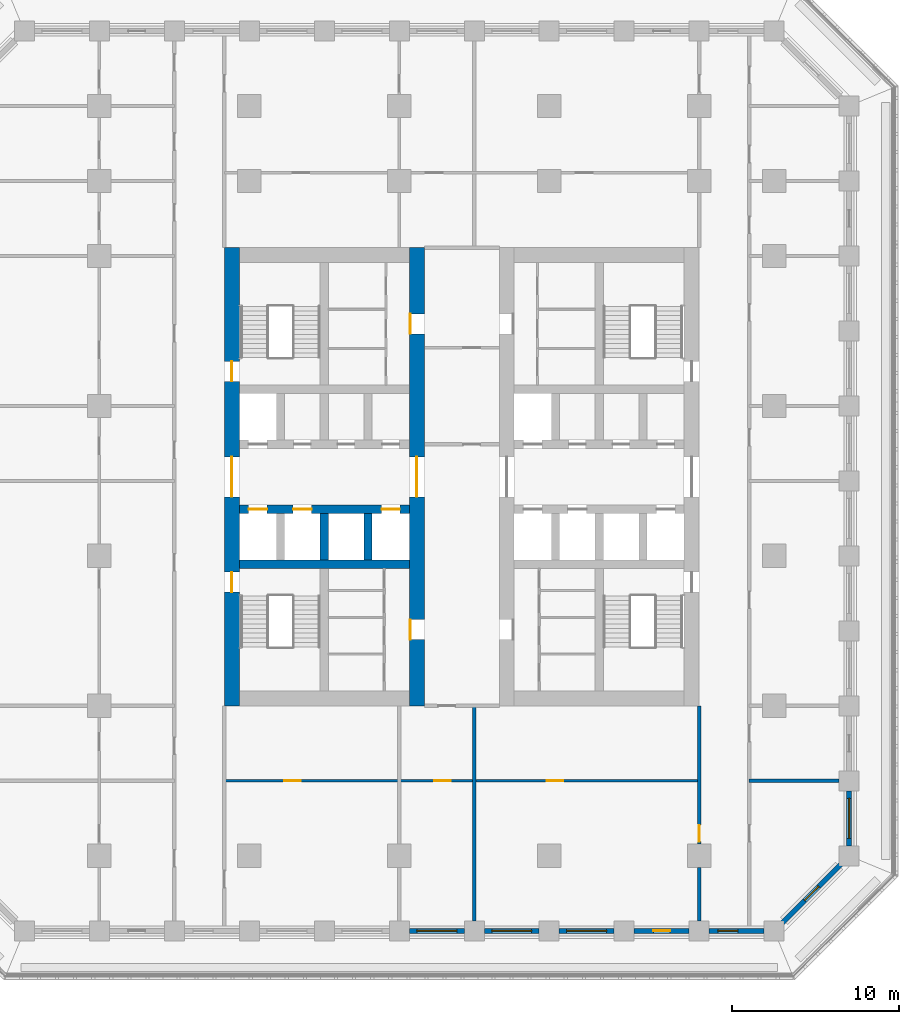
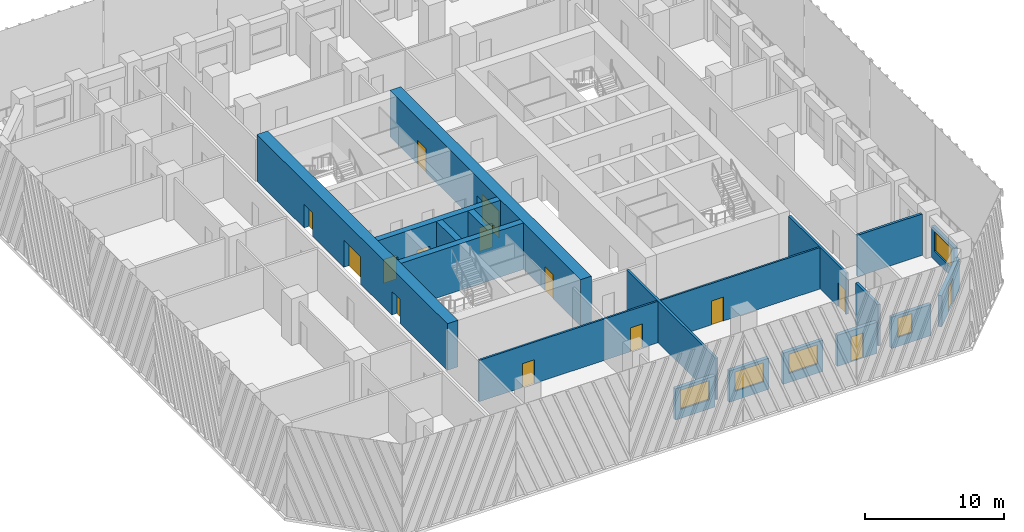
# One storey, part 4 of 19: 18 walls, 15 doors, 5 windows, 20 openings.
"""IFC4 building model written with IfcOpenShell, lengths in metres."""

from ifc_helpers import new_model, si_unit, direction, frame, frame_2d, origin, place, context, subcontext, project, spatial, rectangle, extrude, material, layer, layer_set, type_object, element, fill, save


model = new_model("IFC4")

# Units and contexts
model_context = context("Model", 3, precision=1e-05, world=origin(), true_north=direction((0.0, 1.0)))
body_context = subcontext(model_context, "Body", "Model", "MODEL_VIEW")
ifc_project = project(units=[si_unit("LENGTHUNIT", "METRE"), si_unit("AREAUNIT", "SQUARE_METRE"), si_unit("VOLUMEUNIT", "CUBIC_METRE"), si_unit("PLANEANGLEUNIT", "RADIAN"), si_unit("MASSUNIT", "GRAM", prefix="KILO")], contexts=[model_context])

# Site, building, storey
site_placement = place(None, origin())
site = spatial("IfcSite", under=ifc_project, at=site_placement, CompositionType="ELEMENT")
building_placement = place(site_placement, origin())
building = spatial("IfcBuilding", under=site, at=building_placement, Name="Corbel Stack Research Tower", CompositionType="ELEMENT")
storey_placement = place(building_placement, frame((0.0, 0.0, 124.89990234375)))
storey = spatial("IfcBuildingStorey", under=building, at=storey_placement, Name="L28", CompositionType="ELEMENT", Elevation=124.89990234375)

# Wall
ifc_material_1 = material(Name="Concrete C70/85", Category="concrete")
ifc_layer_1 = layer(ifc_material_1, 0.5)
ifc_layer_set_1 = layer_set([ifc_layer_1], Name="Concrete C70/85")
wall_type_1 = type_object("IfcWallType", Name="CW-500-70", PredefinedType="SHEAR", material=ifc_layer_set_1)
wall_1_placement = place(storey_placement, frame((-9.60009765625, -0.5, 0.0), z_axis=(0.0, 0.0, 1.0), x_axis=(1.0, 0.0, 0.0)))
element("IfcWall", 1, at=wall_1_placement, inside=storey, type_object=wall_type_1, Name="West core wall, south row back L28", PredefinedType="SHEAR", context=body_context, shape_type="SweptSolid", body=[
    extrude(rectangle(XDim=10.2001953125, YDim=0.5, at=frame_2d((5.10009765625, 0.0))), origin(), (0.0, 0.0, 1.0), 4.10009765625),
])

# Wall, openings, doors
wall_2_placement = place(storey_placement, frame((-9.60009765625, 2.800048828125, 0.0), z_axis=(0.0, 0.0, 1.0), x_axis=(1.0, 0.0, 0.0)))
wall_2 = element("IfcWall", 2, at=wall_2_placement, inside=storey, type_object=wall_type_1, Name="West core wall, lobby south L28", PredefinedType="SHEAR", context=body_context, shape_type="SweptSolid", body=[
    extrude(rectangle(XDim=10.2001953125, YDim=0.5, at=frame_2d((5.10009765625, 0.0))), origin(), (0.0, 0.0, 1.0), 4.10009765625),
])
opening_1_placement = place(wall_2_placement, frame((0.5625, 0.0, 0.0)))
opening_1 = element("IfcOpeningElement", 3, at=opening_1_placement, cuts=wall_2, Name="Opening LD-FS1", PredefinedType="OPENING", context=body_context, shape_type="SweptSolid", body=[
    extrude(rectangle(XDim=1.10009765625, YDim=2.10009765625, at=frame_2d((0.550048828125, 1.050048828125))), frame((0.0, 0.260009765625, 0.0), z_axis=(0.0, -1.0, 0.0), x_axis=(1.0, 0.0, 0.0)), (0.0, 0.0, 1.0), 0.52001953125),
])
opening_2_placement = place(wall_2_placement, frame((3.237548828125, 0.0, 0.0)))
opening_2 = element("IfcOpeningElement", 4, at=opening_2_placement, cuts=wall_2, Name="Opening LD-GL1", PredefinedType="OPENING", context=body_context, shape_type="SweptSolid", body=[
    extrude(rectangle(XDim=1.10009765625, YDim=2.10009765625, at=frame_2d((0.550048828125, 1.050048828125))), frame((0.0, 0.260009765625, 0.0), z_axis=(0.0, -1.0, 0.0), x_axis=(1.0, 0.0, 0.0)), (0.0, 0.0, 1.0), 0.52001953125),
])
opening_3_placement = place(wall_2_placement, frame((8.53759765625, 0.0, 0.0)))
opening_3 = element("IfcOpeningElement", 5, at=opening_3_placement, cuts=wall_2, Name="Opening LD-LR1", PredefinedType="OPENING", context=body_context, shape_type="SweptSolid", body=[
    extrude(rectangle(XDim=1.10009765625, YDim=2.10009765625, at=frame_2d((0.550048828125, 1.050048828125))), frame((0.0, 0.260009765625, 0.0), z_axis=(0.0, -1.0, 0.0), x_axis=(1.0, 0.0, 0.0)), (0.0, 0.0, 1.0), 0.52001953125),
])
ifc_material_2 = material(Name="Stainless steel landing door", Category="steel")
door_type_1 = type_object("IfcDoorType", Name="Lift landing door 1100 x 2100", OperationType="DOUBLE_DOOR_SLIDING", PredefinedType="DOOR", material=ifc_material_2)
door_1_placement = place(opening_1_placement, origin())
door_1 = element("IfcDoor", 6, at=door_1_placement, inside=storey, type_object=door_type_1, Name="Landing door FS1", OperationType="DOUBLE_DOOR_SLIDING", OverallHeight=2.10009765625, OverallWidth=1.10009765625, PredefinedType="DOOR", context=body_context, shape_type="SweptSolid", body=[
    extrude(rectangle(XDim=1.10009765625, YDim=2.10009765625, at=frame_2d((0.550048828125, 1.050048828125))), frame((0.0, 0.02490234375, 0.0), z_axis=(0.0, -1.0, 0.0), x_axis=(1.0, 0.0, 0.0)), (0.0, 0.0, 1.0), 0.050048828125),
])
fill(opening_1, door_1)
door_2_placement = place(opening_2_placement, origin())
door_2 = element("IfcDoor", 7, at=door_2_placement, inside=storey, type_object=door_type_1, Name="Landing door GL1", OperationType="DOUBLE_DOOR_SLIDING", OverallHeight=2.10009765625, OverallWidth=1.10009765625, PredefinedType="DOOR", context=body_context, shape_type="SweptSolid", body=[
    extrude(rectangle(XDim=1.10009765625, YDim=2.10009765625, at=frame_2d((0.550048828125, 1.050048828125))), frame((0.0, 0.02490234375, 0.0), z_axis=(0.0, -1.0, 0.0), x_axis=(1.0, 0.0, 0.0)), (0.0, 0.0, 1.0), 0.050048828125),
])
fill(opening_2, door_2)
door_3_placement = place(opening_3_placement, origin())
door_3 = element("IfcDoor", 8, at=door_3_placement, inside=storey, type_object=door_type_1, Name="Landing door LR1", OperationType="DOUBLE_DOOR_SLIDING", OverallHeight=2.10009765625, OverallWidth=1.10009765625, PredefinedType="DOOR", context=body_context, shape_type="SweptSolid", body=[
    extrude(rectangle(XDim=1.10009765625, YDim=2.10009765625, at=frame_2d((0.550048828125, 1.050048828125))), frame((0.0, 0.02490234375, 0.0), z_axis=(0.0, -1.0, 0.0), x_axis=(1.0, 0.0, 0.0)), (0.0, 0.0, 1.0), 0.050048828125),
])
fill(opening_3, door_3)

# Walls
for number, where, z_axis, x_axis, name in (
    (9, (-4.5, -0.25, 0.0), (0.0, 0.0, 1.0), (0.0, 1.0, 0.0), "West core wall, south shaft 2 L28"),
    (10, (-1.875, -0.25, 0.0), (0.0, 0.0, 1.0), (0.0, 1.0, 0.0), "West core wall, south shaft 3 L28"),
):
    element("IfcWall", number, at=place(storey_placement, frame(where, z_axis=z_axis, x_axis=x_axis)), inside=storey, type_object=wall_type_1, Name=name, PredefinedType="SHEAR", context=body_context, shape_type="SweptSolid", body=[
        extrude(rectangle(XDim=2.800048828125, YDim=0.5, at=frame_2d((1.39990234375, 0.0))), origin(), (0.0, 0.0, 1.0), 4.10009765625),
    ])

# Wall, openings, doors
ifc_material_3 = material(Name="Concrete C70/85", Category="concrete")
ifc_layer_2 = layer(ifc_material_3, 0.89990234375)
ifc_layer_set_2 = layer_set([ifc_layer_2], Name="Concrete C70/85")
wall_type_2 = type_object("IfcWallType", Name="CW-900-70", PredefinedType="SHEAR", material=ifc_layer_set_2)
wall_3_placement = place(storey_placement, frame((-10.050048828125, -9.0, 0.0), z_axis=(0.0, 0.0, 1.0), x_axis=(0.0, 1.0, 0.0)))
wall_3 = element("IfcWall", 11, at=wall_3_placement, inside=storey, type_object=wall_type_2, Name="West core wall, west face L28", PredefinedType="SHEAR", context=body_context, shape_type="SweptSolid", body=[
    extrude(rectangle(XDim=27.5, YDim=0.89990234375, at=frame_2d((13.75, 0.0))), origin(), (0.0, 0.0, 1.0), 4.10009765625),
])
opening_4_placement = place(wall_3_placement, frame((12.550048828125, 0.0, 0.0)))
opening_4 = element("IfcOpeningElement", 12, at=opening_4_placement, cuts=wall_3, Name="Opening CD-W-W", PredefinedType="OPENING", context=body_context, shape_type="SweptSolid", body=[
    extrude(rectangle(XDim=2.39990234375, YDim=2.39990234375, at=frame_2d((1.199951171875, 1.199951171875))), frame((0.0, 0.4599609375, 0.0), z_axis=(0.0, -1.0, 0.0), x_axis=(1.0, 0.0, 0.0)), (0.0, 0.0, 1.0), 0.919921875),
])
opening_5_placement = place(wall_3_placement, frame((6.824951171875, 0.0, 0.0)))
opening_5 = element("IfcOpeningElement", 13, at=opening_5_placement, cuts=wall_3, Name="Opening SD-ST-W1", PredefinedType="OPENING", context=body_context, shape_type="SweptSolid", body=[
    extrude(rectangle(XDim=1.199951171875, YDim=2.10009765625, at=frame_2d((0.60009765625, 1.050048828125))), frame((0.0, 0.4599609375, 0.0), z_axis=(0.0, -1.0, 0.0), x_axis=(1.0, 0.0, 0.0)), (0.0, 0.0, 1.0), 0.919921875),
])
opening_6_placement = place(wall_3_placement, frame((19.47509765625, 0.0, 0.0)))
opening_6 = element("IfcOpeningElement", 14, at=opening_6_placement, cuts=wall_3, Name="Opening SD-ST-W2", PredefinedType="OPENING", context=body_context, shape_type="SweptSolid", body=[
    extrude(rectangle(XDim=1.199951171875, YDim=2.10009765625, at=frame_2d((0.60009765625, 1.050048828125))), frame((0.0, 0.4599609375, 0.0), z_axis=(0.0, -1.0, 0.0), x_axis=(1.0, 0.0, 0.0)), (0.0, 0.0, 1.0), 0.919921875),
])
ifc_material_4 = material(Name="Painted steel fire door", Category="steel")
door_type_2 = type_object("IfcDoorType", Name="Lobby door pair 2400 x 2400 FD30S", OperationType="DOUBLE_DOOR_DOUBLE_SWING", PredefinedType="DOOR", material=ifc_material_4)
door_4_placement = place(opening_4_placement, origin())
door_4 = element("IfcDoor", 15, at=door_4_placement, inside=storey, type_object=door_type_2, Name="Lift lobby door W core W", OperationType="DOUBLE_DOOR_DOUBLE_SWING", OverallHeight=2.39990234375, OverallWidth=2.39990234375, PredefinedType="DOOR", context=body_context, shape_type="SweptSolid", body=[
    extrude(rectangle(XDim=2.39990234375, YDim=2.39990234375, at=frame_2d((1.199951171875, 1.199951171875))), frame((0.0, 0.02490234375, 0.0), z_axis=(0.0, -1.0, 0.0), x_axis=(1.0, 0.0, 0.0)), (0.0, 0.0, 1.0), 0.050048828125),
])
fill(opening_4, door_4)
ifc_material_5 = material(Name="Painted steel fire door", Category="steel")
door_type_3 = type_object("IfcDoorType", Name="Stair door 1200 x 2100 FD90 left hand", OperationType="SINGLE_SWING_LEFT", PredefinedType="DOOR", material=ifc_material_5)
door_5_placement = place(opening_5_placement, origin())
door_5 = element("IfcDoor", 16, at=door_5_placement, inside=storey, type_object=door_type_3, Name="Stair door ST-W1", OperationType="SINGLE_SWING_LEFT", OverallHeight=2.10009765625, OverallWidth=1.199951171875, PredefinedType="DOOR", context=body_context, shape_type="SweptSolid", body=[
    extrude(rectangle(XDim=1.199951171875, YDim=2.10009765625, at=frame_2d((0.60009765625, 1.050048828125))), frame((0.0, 0.02490234375, 0.0), z_axis=(0.0, -1.0, 0.0), x_axis=(1.0, 0.0, 0.0)), (0.0, 0.0, 1.0), 0.050048828125),
])
fill(opening_5, door_5)
door_6_placement = place(opening_6_placement, origin())
door_6 = element("IfcDoor", 17, at=door_6_placement, inside=storey, type_object=door_type_3, Name="Stair door ST-W2", OperationType="SINGLE_SWING_LEFT", OverallHeight=2.10009765625, OverallWidth=1.199951171875, PredefinedType="DOOR", context=body_context, shape_type="SweptSolid", body=[
    extrude(rectangle(XDim=1.199951171875, YDim=2.10009765625, at=frame_2d((0.60009765625, 1.050048828125))), frame((0.0, 0.02490234375, 0.0), z_axis=(0.0, -1.0, 0.0), x_axis=(1.0, 0.0, 0.0)), (0.0, 0.0, 1.0), 0.050048828125),
])
fill(opening_6, door_6)

wall_4_placement = place(storey_placement, frame((1.050048828125, -9.0, 0.0), z_axis=(0.0, 0.0, 1.0), x_axis=(0.0, 1.0, 0.0)))
wall_4 = element("IfcWall", 18, at=wall_4_placement, inside=storey, type_object=wall_type_2, Name="West core wall, east face L28", PredefinedType="SHEAR", context=body_context, shape_type="SweptSolid", body=[
    extrude(rectangle(XDim=27.5, YDim=0.89990234375, at=frame_2d((13.75, 0.0))), origin(), (0.0, 0.0, 1.0), 4.10009765625),
])
opening_7_placement = place(wall_4_placement, frame((12.550048828125, 0.0, 0.0)))
opening_7 = element("IfcOpeningElement", 19, at=opening_7_placement, cuts=wall_4, Name="Opening CD-W-E", PredefinedType="OPENING", context=body_context, shape_type="SweptSolid", body=[
    extrude(rectangle(XDim=2.39990234375, YDim=2.39990234375, at=frame_2d((1.199951171875, 1.199951171875))), frame((0.0, 0.4599609375, 0.0), z_axis=(0.0, -1.0, 0.0), x_axis=(1.0, 0.0, 0.0)), (0.0, 0.0, 1.0), 0.919921875),
])
opening_8_placement = place(wall_4_placement, frame((3.97509765625, 0.0, 0.0)))
opening_8 = element("IfcOpeningElement", 20, at=opening_8_placement, cuts=wall_4, Name="Opening CR-W42-W1-1200", PredefinedType="OPENING", context=body_context, shape_type="SweptSolid", body=[
    extrude(rectangle(XDim=1.199951171875, YDim=2.10009765625, at=frame_2d((0.60009765625, 1.050048828125))), frame((0.0, 0.4599609375, 0.0), z_axis=(0.0, -1.0, 0.0), x_axis=(1.0, 0.0, 0.0)), (0.0, 0.0, 1.0), 0.919921875),
])
opening_9_placement = place(wall_4_placement, frame((22.324951171875, 0.0, 0.0)))
opening_9 = element("IfcOpeningElement", 21, at=opening_9_placement, cuts=wall_4, Name="Opening CR-W42-R1-1200", PredefinedType="OPENING", context=body_context, shape_type="SweptSolid", body=[
    extrude(rectangle(XDim=1.199951171875, YDim=2.10009765625, at=frame_2d((0.60009765625, 1.050048828125))), frame((0.0, 0.4599609375, 0.0), z_axis=(0.0, -1.0, 0.0), x_axis=(1.0, 0.0, 0.0)), (0.0, 0.0, 1.0), 0.919921875),
])
door_7_placement = place(opening_7_placement, origin())
door_7 = element("IfcDoor", 22, at=door_7_placement, inside=storey, type_object=door_type_2, Name="Lift lobby door W core E", OperationType="DOUBLE_DOOR_DOUBLE_SWING", OverallHeight=2.39990234375, OverallWidth=2.39990234375, PredefinedType="DOOR", context=body_context, shape_type="SweptSolid", body=[
    extrude(rectangle(XDim=2.39990234375, YDim=2.39990234375, at=frame_2d((1.199951171875, 1.199951171875))), frame((0.0, 0.02490234375, 0.0), z_axis=(0.0, -1.0, 0.0), x_axis=(1.0, 0.0, 0.0)), (0.0, 0.0, 1.0), 0.050048828125),
])
fill(opening_7, door_7)
ifc_material_6 = material(Name="Painted steel door", Category="steel")
door_type_4 = type_object("IfcDoorType", Name="Service door 1200 x 2100 FD30 left hand", OperationType="SINGLE_SWING_LEFT", PredefinedType="DOOR", material=ifc_material_6)
door_8_placement = place(opening_9_placement, origin())
door_8 = element("IfcDoor", 23, at=door_8_placement, inside=storey, type_object=door_type_4, Name="Service passage door W core", OperationType="SINGLE_SWING_LEFT", OverallHeight=2.10009765625, OverallWidth=1.199951171875, PredefinedType="DOOR", context=body_context, shape_type="SweptSolid", body=[
    extrude(rectangle(XDim=1.199951171875, YDim=2.10009765625, at=frame_2d((0.60009765625, 1.050048828125))), frame((0.0, 0.4248046875, 0.0), z_axis=(0.0, -1.0, 0.0), x_axis=(1.0, 0.0, 0.0)), (0.0, 0.0, 1.0), 0.050048828125),
])
fill(opening_9, door_8)
ifc_material_7 = material(Name="Painted timber door", Category="wood")
door_type_5 = type_object("IfcDoorType", Name="WC door 1200 x 2100 left hand", OperationType="SINGLE_SWING_LEFT", PredefinedType="DOOR", material=ifc_material_7)
door_9_placement = place(opening_8_placement, origin())
door_9 = element("IfcDoor", 24, at=door_9_placement, inside=storey, type_object=door_type_5, Name="WC lobby door W core", OperationType="SINGLE_SWING_LEFT", OverallHeight=2.10009765625, OverallWidth=1.199951171875, PredefinedType="DOOR", context=body_context, shape_type="SweptSolid", body=[
    extrude(rectangle(XDim=1.199951171875, YDim=2.10009765625, at=frame_2d((0.60009765625, 1.050048828125))), frame((0.0, 0.4248046875, 0.0), z_axis=(0.0, -1.0, 0.0), x_axis=(1.0, 0.0, 0.0)), (0.0, 0.0, 1.0), 0.050048828125),
])
fill(opening_8, door_9)

# Walls
ifc_material_8 = material(Name="Fire-rated gypsum board partition on steel studs", Category="steel")
ifc_layer_3 = layer(ifc_material_8, 0.199951171875)
ifc_layer_set_3 = layer_set([ifc_layer_3], Name="Fire-rated gypsum board partition on steel studs")
wall_type_3 = type_object("IfcWallType", Name="Fire-rated partition 200 EI 60", PredefinedType="PARTITIONING", material=ifc_layer_set_3)
wall_5_placement = place(storey_placement, frame((4.5, -21.89990234375, 0.0), z_axis=(0.0, 0.0, 1.0), x_axis=(0.0, 1.0, 0.0)))
element("IfcWall", 25, at=wall_5_placement, inside=storey, type_object=wall_type_3, Name="Partition L28-017", PredefinedType="PARTITIONING", context=body_context, shape_type="SweptSolid", body=[
    extrude(rectangle(XDim=12.89990234375, YDim=0.199951171875, at=frame_2d((6.449951171875, 0.0))), origin(), (0.0, 0.0, 1.0), 3.650146484375),
])
wall_6_placement = place(storey_placement, frame((18.0, -21.89990234375, 0.0), z_axis=(0.0, 0.0, 1.0), x_axis=(0.0, 1.0, 0.0)))
element("IfcWall", 26, at=wall_6_placement, inside=storey, type_object=wall_type_3, Name="Partition L28-019", PredefinedType="PARTITIONING", context=body_context, shape_type="SweptSolid", body=[
    extrude(rectangle(XDim=3.199951171875, YDim=0.199951171875, at=frame_2d((1.60009765625, 0.0))), origin(), (0.0, 0.0, 1.0), 3.650146484375),
])

# Wall, opening, door
wall_7_placement = place(storey_placement, frame((18.0, -17.300048828125, 0.0), z_axis=(0.0, 0.0, 1.0), x_axis=(0.0, 1.0, 0.0)))
wall_7 = element("IfcWall", 27, at=wall_7_placement, inside=storey, type_object=wall_type_3, Name="Partition L28-020", PredefinedType="PARTITIONING", context=body_context, shape_type="SweptSolid", body=[
    extrude(rectangle(XDim=8.300048828125, YDim=0.199951171875, at=frame_2d((4.14990234375, 0.0))), origin(), (0.0, 0.0, 1.0), 3.650146484375),
])
opening_10_placement = place(wall_7_placement, frame((0.14990234375, 0.0, 0.0)))
opening_10 = element("IfcOpeningElement", 28, at=opening_10_placement, cuts=wall_7, Name="Opening B4V1-026", PredefinedType="OPENING", context=body_context, shape_type="SweptSolid", body=[
    extrude(rectangle(XDim=1.0, YDim=2.10009765625, at=frame_2d((0.5, 1.050048828125))), frame((0.0, 0.10986328125, 0.0), z_axis=(0.0, -1.0, 0.0), x_axis=(1.0, 0.0, 0.0)), (0.0, 0.0, 1.0), 0.219970703125),
])
ifc_material_9 = material(Name="Painted steel fire door", Category="steel")
door_type_6 = type_object("IfcDoorType", Name="Fire door FD30S 1000 x 2100", OperationType="NOTDEFINED", PredefinedType="DOOR", material=ifc_material_9)
door_10_placement = place(opening_10_placement, origin())
door_10 = element("IfcDoor", 29, at=door_10_placement, inside=storey, type_object=door_type_6, Name="Door B4V1-026", OperationType="SINGLE_SWING_LEFT", OverallHeight=2.10009765625, OverallWidth=1.0, PredefinedType="DOOR", context=body_context, shape_type="SweptSolid", body=[
    extrude(rectangle(XDim=1.0, YDim=2.10009765625, at=frame_2d((0.5, 1.050048828125))), frame((0.0, 0.02490234375, 0.0), z_axis=(0.0, -1.0, 0.0), x_axis=(1.0, 0.0, 0.0)), (0.0, 0.0, 1.0), 0.050048828125),
])
fill(opening_10, door_10)

# Wall
wall_8_placement = place(storey_placement, frame((21.0, -13.5, 0.0), z_axis=(0.0, 0.0, 1.0), x_axis=(1.0, 0.0, 0.0)))
element("IfcWall", 30, at=wall_8_placement, inside=storey, type_object=wall_type_3, Name="Partition L28-027", PredefinedType="PARTITIONING", context=body_context, shape_type="SweptSolid", body=[
    extrude(rectangle(XDim=5.39990234375, YDim=0.199951171875, at=frame_2d((2.699951171875, 0.0))), origin(), (0.0, 0.0, 1.0), 3.650146484375),
])

# Wall, openings, doors
ifc_material_10 = material(Name="Gypsum board partition on steel studs", Category="steel")
ifc_layer_4 = layer(ifc_material_10, 0.14990234375)
ifc_layer_set_4 = layer_set([ifc_layer_4], Name="Gypsum board partition on steel studs")
wall_type_4 = type_object("IfcWallType", Name="Partition 150", PredefinedType="PARTITIONING", material=ifc_layer_set_4)
wall_9_placement = place(storey_placement, frame((-10.5, -13.5, 0.0), z_axis=(0.0, 0.0, 1.0), x_axis=(1.0, 0.0, 0.0)))
wall_9 = element("IfcWall", 31, at=wall_9_placement, inside=storey, type_object=wall_type_4, Name="Partition L28-025", PredefinedType="PARTITIONING", context=body_context, shape_type="SweptSolid", body=[
    extrude(rectangle(XDim=28.5, YDim=0.14990234375, at=frame_2d((14.25, 0.0))), origin(), (0.0, 0.0, 1.0), 3.650146484375),
])
opening_11_placement = place(wall_9_placement, frame((3.60009765625, 0.0, 0.0)))
opening_11 = element("IfcOpeningElement", 32, at=opening_11_placement, cuts=wall_9, Name="Opening B4V1-011", PredefinedType="OPENING", context=body_context, shape_type="SweptSolid", body=[
    extrude(rectangle(XDim=1.0, YDim=2.10009765625, at=frame_2d((0.5, 1.050048828125))), frame((0.0, 0.0849609375, 0.0), z_axis=(0.0, -1.0, 0.0), x_axis=(1.0, 0.0, 0.0)), (0.0, 0.0, 1.0), 0.169921875),
])
opening_12_placement = place(wall_9_placement, frame((12.60009765625, 0.0, 0.0)))
opening_12 = element("IfcOpeningElement", 33, at=opening_12_placement, cuts=wall_9, Name="Opening B4V1-013", PredefinedType="OPENING", context=body_context, shape_type="SweptSolid", body=[
    extrude(rectangle(XDim=1.0, YDim=2.10009765625, at=frame_2d((0.5, 1.050048828125))), frame((0.0, 0.0849609375, 0.0), z_axis=(0.0, -1.0, 0.0), x_axis=(1.0, 0.0, 0.0)), (0.0, 0.0, 1.0), 0.169921875),
])
opening_13_placement = place(wall_9_placement, frame((19.35009765625, 0.0, 0.0)))
opening_13 = element("IfcOpeningElement", 34, at=opening_13_placement, cuts=wall_9, Name="Opening B4V1-015", PredefinedType="OPENING", context=body_context, shape_type="SweptSolid", body=[
    extrude(rectangle(XDim=1.0, YDim=2.10009765625, at=frame_2d((0.5, 1.050048828125))), frame((0.0, 0.0849609375, 0.0), z_axis=(0.0, -1.0, 0.0), x_axis=(1.0, 0.0, 0.0)), (0.0, 0.0, 1.0), 0.169921875),
])
ifc_material_11 = material(Name="Painted timber door", Category="wood")
door_type_7 = type_object("IfcDoorType", Name="Single door 1000 x 2100", OperationType="NOTDEFINED", PredefinedType="DOOR", material=ifc_material_11)
door_11_placement = place(opening_11_placement, origin())
door_11 = element("IfcDoor", 35, at=door_11_placement, inside=storey, type_object=door_type_7, Name="Door B4V1-011", OperationType="SINGLE_SWING_LEFT", OverallHeight=2.10009765625, OverallWidth=1.0, PredefinedType="DOOR", context=body_context, shape_type="SweptSolid", body=[
    extrude(rectangle(XDim=1.0, YDim=2.10009765625, at=frame_2d((0.5, 1.050048828125))), frame((0.0, 0.02490234375, 0.0), z_axis=(0.0, -1.0, 0.0), x_axis=(1.0, 0.0, 0.0)), (0.0, 0.0, 1.0), 0.050048828125),
])
fill(opening_11, door_11)
door_12_placement = place(opening_12_placement, origin())
door_12 = element("IfcDoor", 36, at=door_12_placement, inside=storey, type_object=door_type_7, Name="Door B4V1-013", OperationType="SINGLE_SWING_LEFT", OverallHeight=2.10009765625, OverallWidth=1.0, PredefinedType="DOOR", context=body_context, shape_type="SweptSolid", body=[
    extrude(rectangle(XDim=1.0, YDim=2.10009765625, at=frame_2d((0.5, 1.050048828125))), frame((0.0, 0.02490234375, 0.0), z_axis=(0.0, -1.0, 0.0), x_axis=(1.0, 0.0, 0.0)), (0.0, 0.0, 1.0), 0.050048828125),
])
fill(opening_12, door_12)
door_13_placement = place(opening_13_placement, origin())
door_13 = element("IfcDoor", 37, at=door_13_placement, inside=storey, type_object=door_type_7, Name="Door B4V1-015", OperationType="SINGLE_SWING_RIGHT", OverallHeight=2.10009765625, OverallWidth=1.0, PredefinedType="DOOR", context=body_context, shape_type="SweptSolid", body=[
    extrude(rectangle(XDim=1.0, YDim=2.10009765625, at=frame_2d((0.5, 1.050048828125))), frame((0.0, 0.02490234375, 0.0), z_axis=(0.0, -1.0, 0.0), x_axis=(1.0, 0.0, 0.0)), (0.0, 0.0, 1.0), 0.050048828125),
])
fill(opening_13, door_13)

# Wall, opening, window
ifc_material_12 = material(Name="Concrete C45/55", Category="concrete")
ifc_layer_5 = layer(ifc_material_12, 0.300048828125)
ifc_layer_set_5 = layer_set([ifc_layer_5], Name="Concrete C45/55")
wall_type_5 = type_object("IfcWallType", Name="Terracotta-faced concrete wall 300", PredefinedType="SOLIDWALL", material=ifc_layer_set_5)
wall_10_placement = place(storey_placement, frame((3.89990234375, -22.5, 0.0), z_axis=(0.0, 0.0, 1.0), x_axis=(-1.0, 0.0, 0.0)))
wall_10 = element("IfcWall", 38, at=wall_10_placement, inside=storey, type_object=wall_type_5, Name="Facade wall L28 S06", PredefinedType="SOLIDWALL", context=body_context, shape_type="SweptSolid", body=[
    extrude(rectangle(XDim=3.2998046875, YDim=0.300048828125, at=frame_2d((1.64990234375, 0.0))), origin(), (0.0, 0.0, 1.0), 2.75),
])
opening_14_placement = place(wall_10_placement, frame((0.449951171875, 0.0, 0.800048828125)))
opening_14 = element("IfcOpeningElement", 39, at=opening_14_placement, cuts=wall_10, Name="Opening W1", PredefinedType="OPENING", context=body_context, shape_type="SweptSolid", body=[
    extrude(rectangle(XDim=2.39990234375, YDim=1.699951171875, at=frame_2d((1.199951171875, 0.85009765625))), frame((0.0, 0.159912109375, 0.0), z_axis=(0.0, -1.0, 0.0), x_axis=(1.0, 0.0, 0.0)), (0.0, 0.0, 1.0), 0.320068359375),
])
ifc_material_13 = material(Name="Aluminium frame, clear double glazing", Category="aluminium")
window_type_1 = type_object("IfcWindowType", Name="Window W1 2400 x 1700", PartitioningType="SINGLE_PANEL", PredefinedType="WINDOW", material=ifc_material_13)
window_1_placement = place(opening_14_placement, origin())
window_1 = element("IfcWindow", 40, at=window_1_placement, inside=storey, type_object=window_type_1, Name="Window W1 L28 S06", OverallHeight=1.699951171875, OverallWidth=2.39990234375, PartitioningType="SINGLE_PANEL", PredefinedType="WINDOW", context=body_context, shape_type="SweptSolid", body=[
    extrude(rectangle(XDim=2.39990234375, YDim=1.699951171875, at=frame_2d((1.199951171875, 0.85009765625))), frame((0.0, 0.030029296875, 0.0), z_axis=(0.0, -1.0, 0.0), x_axis=(1.0, 0.0, 0.0)), (0.0, 0.0, 1.0), 0.06005859375),
])
fill(opening_14, window_1)

wall_11_placement = place(storey_placement, frame((8.39990234375, -22.5, 0.0), z_axis=(0.0, 0.0, 1.0), x_axis=(-1.0, 0.0, 0.0)))
wall_11 = element("IfcWall", 41, at=wall_11_placement, inside=storey, type_object=wall_type_5, Name="Facade wall L28 S07", PredefinedType="SOLIDWALL", context=body_context, shape_type="SweptSolid", body=[
    extrude(rectangle(XDim=3.2998046875, YDim=0.300048828125, at=frame_2d((1.64990234375, 0.0))), origin(), (0.0, 0.0, 1.0), 2.75),
])
opening_15_placement = place(wall_11_placement, frame((0.449951171875, 0.0, 0.800048828125)))
opening_15 = element("IfcOpeningElement", 42, at=opening_15_placement, cuts=wall_11, Name="Opening W1", PredefinedType="OPENING", context=body_context, shape_type="SweptSolid", body=[
    extrude(rectangle(XDim=2.39990234375, YDim=1.699951171875, at=frame_2d((1.199951171875, 0.85009765625))), frame((0.0, 0.159912109375, 0.0), z_axis=(0.0, -1.0, 0.0), x_axis=(1.0, 0.0, 0.0)), (0.0, 0.0, 1.0), 0.320068359375),
])
window_2_placement = place(opening_15_placement, origin())
window_2 = element("IfcWindow", 43, at=window_2_placement, inside=storey, type_object=window_type_1, Name="Window W1 L28 S07", OverallHeight=1.699951171875, OverallWidth=2.39990234375, PartitioningType="SINGLE_PANEL", PredefinedType="WINDOW", context=body_context, shape_type="SweptSolid", body=[
    extrude(rectangle(XDim=2.39990234375, YDim=1.699951171875, at=frame_2d((1.199951171875, 0.85009765625))), frame((0.0, 0.030029296875, 0.0), z_axis=(0.0, -1.0, 0.0), x_axis=(1.0, 0.0, 0.0)), (0.0, 0.0, 1.0), 0.06005859375),
])
fill(opening_15, window_2)

wall_12_placement = place(storey_placement, frame((12.89990234375, -22.5, 0.0), z_axis=(0.0, 0.0, 1.0), x_axis=(-1.0, 0.0, 0.0)))
wall_12 = element("IfcWall", 44, at=wall_12_placement, inside=storey, type_object=wall_type_5, Name="Facade wall L28 S08", PredefinedType="SOLIDWALL", context=body_context, shape_type="SweptSolid", body=[
    extrude(rectangle(XDim=3.2998046875, YDim=0.300048828125, at=frame_2d((1.64990234375, 0.0))), origin(), (0.0, 0.0, 1.0), 2.75),
])
opening_16_placement = place(wall_12_placement, frame((0.449951171875, 0.0, 0.800048828125)))
opening_16 = element("IfcOpeningElement", 45, at=opening_16_placement, cuts=wall_12, Name="Opening W1", PredefinedType="OPENING", context=body_context, shape_type="SweptSolid", body=[
    extrude(rectangle(XDim=2.39990234375, YDim=1.699951171875, at=frame_2d((1.199951171875, 0.85009765625))), frame((0.0, 0.159912109375, 0.0), z_axis=(0.0, -1.0, 0.0), x_axis=(1.0, 0.0, 0.0)), (0.0, 0.0, 1.0), 0.320068359375),
])
window_3_placement = place(opening_16_placement, origin())
window_3 = element("IfcWindow", 46, at=window_3_placement, inside=storey, type_object=window_type_1, Name="Window W1 L28 S08", OverallHeight=1.699951171875, OverallWidth=2.39990234375, PartitioningType="SINGLE_PANEL", PredefinedType="WINDOW", context=body_context, shape_type="SweptSolid", body=[
    extrude(rectangle(XDim=2.39990234375, YDim=1.699951171875, at=frame_2d((1.199951171875, 0.85009765625))), frame((0.0, 0.030029296875, 0.0), z_axis=(0.0, -1.0, 0.0), x_axis=(1.0, 0.0, 0.0)), (0.0, 0.0, 1.0), 0.06005859375),
])
fill(opening_16, window_3)

# Wall, opening, door
wall_13_placement = place(storey_placement, frame((17.39990234375, -22.5, 0.0), z_axis=(0.0, 0.0, 1.0), x_axis=(-1.0, 0.0, 0.0)))
wall_13 = element("IfcWall", 47, at=wall_13_placement, inside=storey, type_object=wall_type_5, Name="Facade wall L28 S09", PredefinedType="SOLIDWALL", context=body_context, shape_type="SweptSolid", body=[
    extrude(rectangle(XDim=3.2998046875, YDim=0.300048828125, at=frame_2d((1.64990234375, 0.0))), origin(), (0.0, 0.0, 1.0), 2.75),
])
opening_17_placement = place(wall_13_placement, frame((1.14990234375, 0.0, 0.0)))
opening_17 = element("IfcOpeningElement", 48, at=opening_17_placement, cuts=wall_13, Name="Opening L28-B02", PredefinedType="OPENING", context=body_context, shape_type="SweptSolid", body=[
    extrude(rectangle(XDim=1.0, YDim=2.199951171875, at=frame_2d((0.5, 1.10009765625))), frame((0.0, 0.159912109375, 0.0), z_axis=(0.0, -1.0, 0.0), x_axis=(1.0, 0.0, 0.0)), (0.0, 0.0, 1.0), 0.320068359375),
])
ifc_material_14 = material(Name="Aluminium frame, clear double glazing", Category="aluminium")
door_type_8 = type_object("IfcDoorType", Name="Balcony door BD1 1000 x 2200", OperationType="NOTDEFINED", PredefinedType="DOOR", material=ifc_material_14)
door_14_placement = place(opening_17_placement, origin())
door_14 = element("IfcDoor", 49, at=door_14_placement, inside=storey, type_object=door_type_8, Name="Balcony door L28-B02", OperationType="SINGLE_SWING_LEFT", OverallHeight=2.199951171875, OverallWidth=1.0, PredefinedType="DOOR", context=body_context, shape_type="SweptSolid", body=[
    extrude(rectangle(XDim=1.0, YDim=2.199951171875, at=frame_2d((0.5, 1.10009765625))), frame((0.0, 0.02490234375, 0.0), z_axis=(0.0, -1.0, 0.0), x_axis=(1.0, 0.0, 0.0)), (0.0, 0.0, 1.0), 0.050048828125),
])
fill(opening_17, door_14)

# Wall, opening, window
wall_14_placement = place(storey_placement, frame((21.89990234375, -22.5, 0.0), z_axis=(0.0, 0.0, 1.0), x_axis=(-1.0, 0.0, 0.0)))
wall_14 = element("IfcWall", 50, at=wall_14_placement, inside=storey, type_object=wall_type_5, Name="Facade wall L28 S10", PredefinedType="SOLIDWALL", context=body_context, shape_type="SweptSolid", body=[
    extrude(rectangle(XDim=3.2998046875, YDim=0.300048828125, at=frame_2d((1.64990234375, 0.0))), origin(), (0.0, 0.0, 1.0), 2.75),
])
opening_18_placement = place(wall_14_placement, frame((1.574951171875, 0.0, 0.800048828125)))
opening_18 = element("IfcOpeningElement", 51, at=opening_18_placement, cuts=wall_14, Name="Opening W2", PredefinedType="OPENING", context=body_context, shape_type="SweptSolid", body=[
    extrude(rectangle(XDim=1.199951171875, YDim=1.699951171875, at=frame_2d((0.60009765625, 0.85009765625))), frame((0.0, 0.159912109375, 0.0), z_axis=(0.0, -1.0, 0.0), x_axis=(1.0, 0.0, 0.0)), (0.0, 0.0, 1.0), 0.320068359375),
])
ifc_material_15 = material(Name="Aluminium frame, clear double glazing", Category="aluminium")
window_type_2 = type_object("IfcWindowType", Name="Window W2 1200 x 1700", PartitioningType="SINGLE_PANEL", PredefinedType="WINDOW", material=ifc_material_15)
window_4_placement = place(opening_18_placement, origin())
window_4 = element("IfcWindow", 52, at=window_4_placement, inside=storey, type_object=window_type_2, Name="Window W2 L28 S10", OverallHeight=1.699951171875, OverallWidth=1.199951171875, PartitioningType="SINGLE_PANEL", PredefinedType="WINDOW", context=body_context, shape_type="SweptSolid", body=[
    extrude(rectangle(XDim=1.199951171875, YDim=1.699951171875, at=frame_2d((0.60009765625, 0.85009765625))), frame((0.0, 0.030029296875, 0.0), z_axis=(0.0, -1.0, 0.0), x_axis=(1.0, 0.0, 0.0)), (0.0, 0.0, 1.0), 0.06005859375),
])
fill(opening_18, window_4)

# Wall, opening, door
wall_15_placement = place(storey_placement, frame((26.506103515625, -18.493896484375, 0.0), z_axis=(0.0, 0.0, 1.0), x_axis=(-0.707106781187, -0.707106781187, 0.0)))
wall_15 = element("IfcWall", 53, at=wall_15_placement, inside=storey, type_object=wall_type_5, Name="Facade wall L28 SE01", PredefinedType="SOLIDWALL", context=body_context, shape_type="SweptSolid", body=[
    extrude(rectangle(XDim=4.967041015625, YDim=0.300048828125, at=frame_2d((2.4833984375, 0.0))), origin(), (0.0, 0.0, 1.0), 2.75),
])
opening_19_placement = place(wall_15_placement, frame((1.883544921875, 0.0, 0.0)))
opening_19 = element("IfcOpeningElement", 54, at=opening_19_placement, cuts=wall_15, Name="Opening L28-B03", PredefinedType="OPENING", context=body_context, shape_type="SweptSolid", body=[
    extrude(rectangle(XDim=1.199951171875, YDim=2.199951171875, at=frame_2d((0.60009765625, 1.10009765625))), frame((0.0, 0.159912109375, 0.0), z_axis=(0.0, -1.0, 0.0), x_axis=(1.0, 0.0, 0.0)), (0.0, 0.0, 1.0), 0.320068359375),
])
ifc_material_16 = material(Name="Aluminium frame, clear double glazing", Category="aluminium")
door_type_9 = type_object("IfcDoorType", Name="Balcony door BD2 1200 x 2200", OperationType="NOTDEFINED", PredefinedType="DOOR", material=ifc_material_16)
door_15_placement = place(opening_19_placement, origin())
door_15 = element("IfcDoor", 55, at=door_15_placement, inside=storey, type_object=door_type_9, Name="Balcony door L28-B03", OperationType="SINGLE_SWING_LEFT", OverallHeight=2.199951171875, OverallWidth=1.199951171875, PredefinedType="DOOR", context=body_context, shape_type="SweptSolid", body=[
    extrude(rectangle(XDim=1.199951171875, YDim=2.199951171875, at=frame_2d((0.60009765625, 1.10009765625))), frame((0.0, 0.02490234375, 0.0), z_axis=(0.0, -1.0, 0.0), x_axis=(1.0, 0.0, 0.0)), (0.0, 0.0, 1.0), 0.050048828125),
])
fill(opening_19, door_15)

# Wall, opening, window
wall_16_placement = place(storey_placement, frame((27.0, -14.10009765625, 0.0), z_axis=(0.0, 0.0, 1.0), x_axis=(0.0, -1.0, 0.0)))
wall_16 = element("IfcWall", 56, at=wall_16_placement, inside=storey, type_object=wall_type_5, Name="Facade wall L28 E01", PredefinedType="SOLIDWALL", context=body_context, shape_type="SweptSolid", body=[
    extrude(rectangle(XDim=3.2998046875, YDim=0.300048828125, at=frame_2d((1.64990234375, 0.0))), origin(), (0.0, 0.0, 1.0), 2.75),
])
opening_20_placement = place(wall_16_placement, frame((0.449951171875, 0.0, 0.800048828125)))
opening_20 = element("IfcOpeningElement", 57, at=opening_20_placement, cuts=wall_16, Name="Opening W1", PredefinedType="OPENING", context=body_context, shape_type="SweptSolid", body=[
    extrude(rectangle(XDim=2.39990234375, YDim=1.699951171875, at=frame_2d((1.199951171875, 0.85009765625))), frame((0.0, 0.159912109375, 0.0), z_axis=(0.0, -1.0, 0.0), x_axis=(1.0, 0.0, 0.0)), (0.0, 0.0, 1.0), 0.320068359375),
])
window_5_placement = place(opening_20_placement, origin())
window_5 = element("IfcWindow", 58, at=window_5_placement, inside=storey, type_object=window_type_1, Name="Window W1 L28 E01", OverallHeight=1.699951171875, OverallWidth=2.39990234375, PartitioningType="SINGLE_PANEL", PredefinedType="WINDOW", context=body_context, shape_type="SweptSolid", body=[
    extrude(rectangle(XDim=2.39990234375, YDim=1.699951171875, at=frame_2d((1.199951171875, 0.85009765625))), frame((0.0, 0.030029296875, 0.0), z_axis=(0.0, -1.0, 0.0), x_axis=(1.0, 0.0, 0.0)), (0.0, 0.0, 1.0), 0.06005859375),
])
fill(opening_20, window_5)

save(model, "model.ifc")
